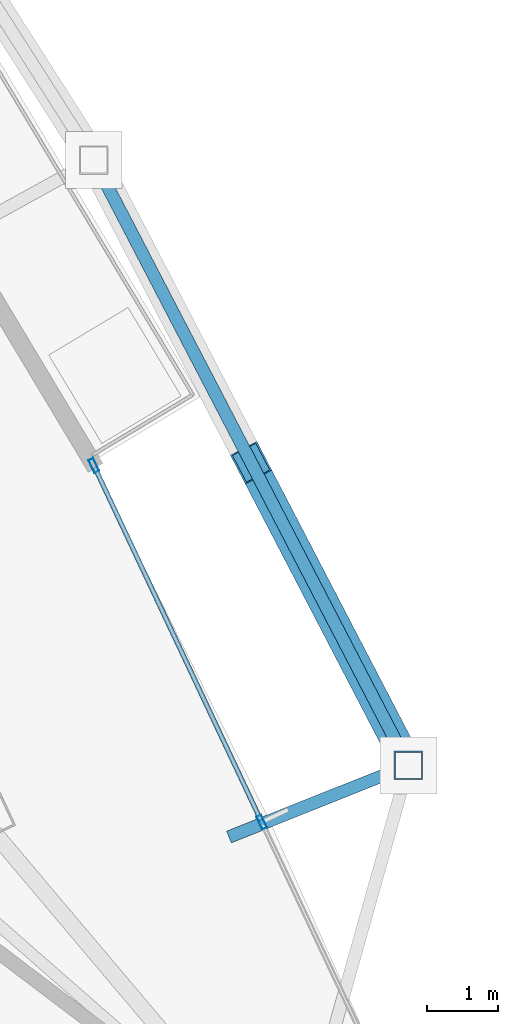
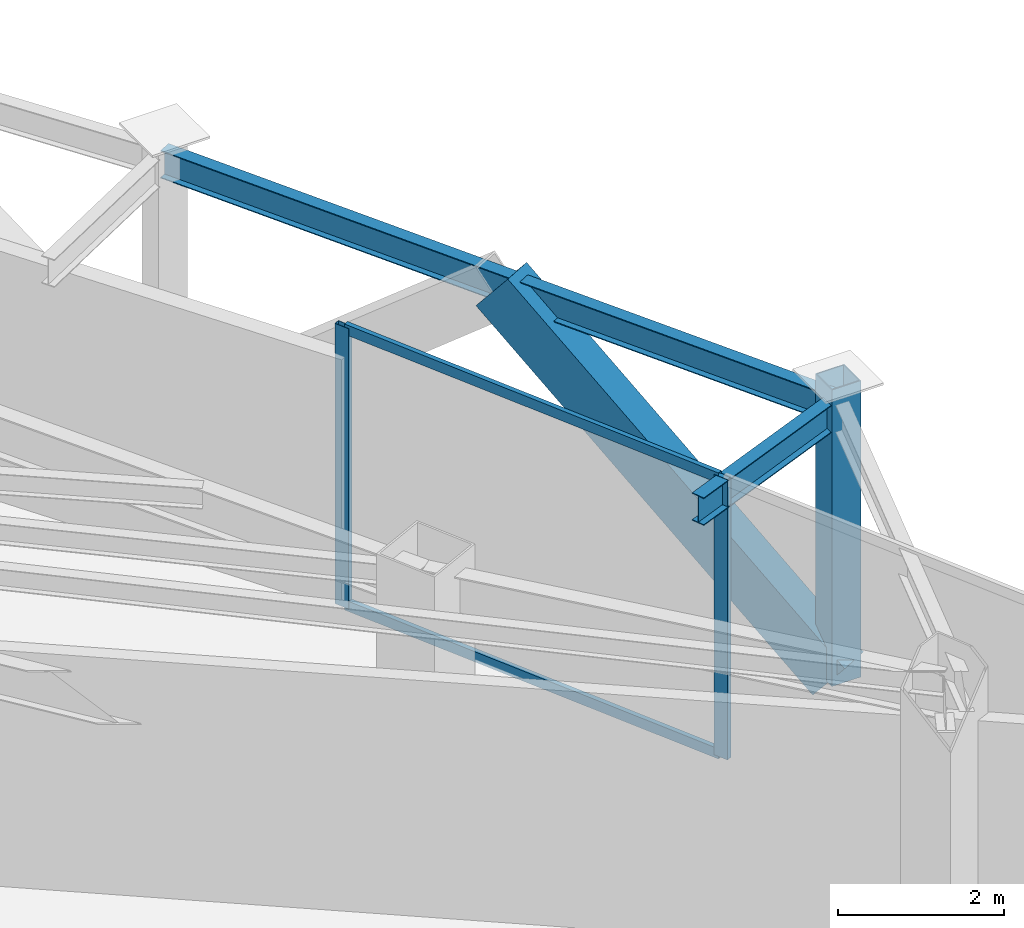
# One storey, part 16 of 28: 6 members, 2 beams, 1 element without a shape of its own.
"""IFC4 building model written with IfcOpenShell, lengths in metres."""

from ifc_helpers import new_model, si_unit, direction, frame, origin, origin_2d, place, context, subcontext, project, spatial, hollow_rectangle, i_section, extrude, material, layer, layer_set, material_profile, profile_set, type_object, element, aggregate, save


model = new_model("IFC4")

# Units and contexts
model_context = context("Model", 3, precision=1e-05, world=origin(), true_north=direction((0.0, 1.0)))
body_context = subcontext(model_context, "Body", "Model", "MODEL_VIEW")
ifc_project = project(units=[si_unit("LENGTHUNIT", "METRE"), si_unit("AREAUNIT", "SQUARE_METRE"), si_unit("VOLUMEUNIT", "CUBIC_METRE"), si_unit("PLANEANGLEUNIT", "RADIAN"), si_unit("MASSUNIT", "GRAM", prefix="KILO")], contexts=[model_context])

# Site, building, storey
site_placement = place(None, origin())
site = spatial("IfcSite", under=ifc_project, at=site_placement, CompositionType="ELEMENT")
building_placement = place(site_placement, origin())
building = spatial("IfcBuilding", under=site, at=building_placement, Name="Orvanel Arch Residences", CompositionType="ELEMENT")
storey_placement = place(building_placement, frame((0.0, 0.0, 146.300048828125)))
storey = spatial("IfcBuildingStorey", under=building, at=storey_placement, Name="L41", CompositionType="ELEMENT", Elevation=146.300048828125)

# Member
ifc_material_1 = material(Name="Structural steel AS/NZS 3678 Grade 350", Category="steel")
ifc_material_profile_1 = material_profile(ifc_material_1, hollow_rectangle(XDim=0.419921875, YDim=0.719970703125, WallThickness=0.02490234375, at=origin_2d()), Name="RHS720x420x25")
ifc_profile_set_1 = profile_set([ifc_material_profile_1], Name="Structural steel AS/NZS 3678 Grade 350")
member_type_1 = type_object("IfcMemberType", Name="BR-720RHS-EXT", PredefinedType="BRACE", material=ifc_profile_set_1)
member_1_placement = place(storey_placement, frame((55.72412109375, 20.281005859375, 0.0), z_axis=(-0.357776881405, 0.688056741492, 0.631326875414), x_axis=(-0.887223464214, -0.461339922995, 0.0)))
element("IfcMember", 1, at=member_1_placement, inside=storey, type_object=member_type_1, Name="L41 Exterior Sky-Garden V-Frame Chevron F3B1.1", PredefinedType="BRACE", context=body_context, shape_type="SweptSolid", body=[
    extrude(hollow_rectangle(XDim=0.419921875, YDim=0.719970703125, WallThickness=0.02490234375, at=origin_2d()), origin(), (0.0, 0.0, 1.0), 6.1884765625),
])

# Curtain wall, members
ifc_material_2 = material(Name="Bronze-anodised aluminium AA6063-T6", Category="aluminium")
ifc_layer = layer(ifc_material_2, 0.195068359375)
ifc_layer_set = layer_set([ifc_layer], Name="Bronze-anodised aluminium AA6063-T6")
curtain_wall_type = type_object("IfcCurtainWallType", Name="CW6-COM-SYS", PredefinedType="NOTDEFINED", material=ifc_layer_set)
curtain_wall_placement = place(storey_placement, origin())
curtain_wall = element("IfcCurtainWall", 2, at=curtain_wall_placement, inside=storey, type_object=curtain_wall_type, Name="L41 CW6-COM-SYS Unitised Curtain Wall", PredefinedType="NOTDEFINED")
ifc_material_profile_2 = material_profile(ifc_material_2, hollow_rectangle(XDim=0.074951171875, YDim=0.199951171875, WallThickness=0.0048828125, at=origin_2d()), Name="ALU200x75x5")
ifc_profile_set_2 = profile_set([ifc_material_profile_2], Name="Bronze-anodised aluminium AA6063-T6")
member_type_2 = type_object("IfcMemberType", Name="MUL-200x75", PredefinedType="MULLION", material=ifc_profile_set_2)
member_2_placement = place(storey_placement, frame((53.659423828125, 19.482421875, 0.0), z_axis=(0.0, 0.0, 1.0), x_axis=(-0.904796375082, -0.425844478229, 0.0)))
member_2 = element("IfcMember", 3, at=member_2_placement, type_object=member_type_2, Name="CW-S6 mullion 2", PredefinedType="MULLION", context=body_context, shape_type="SweptSolid", body=[
    extrude(hollow_rectangle(XDim=0.074951171875, YDim=0.199951171875, WallThickness=0.0048828125, at=origin_2d()), origin(), (0.0, 0.0, 1.0), 4.10986328125),
])
member_3_placement = place(storey_placement, frame((51.2978515625, 24.5, 0.0), z_axis=(0.0, 0.0, 1.0), x_axis=(-0.904796375082, -0.425844478229, 0.0)))
member_3 = element("IfcMember", 4, at=member_3_placement, type_object=member_type_2, Name="CW-S6 mullion 3", PredefinedType="MULLION", context=body_context, shape_type="SweptSolid", body=[
    extrude(hollow_rectangle(XDim=0.074951171875, YDim=0.199951171875, WallThickness=0.0048828125, at=origin_2d()), origin(), (0.0, 0.0, 1.0), 4.10986328125),
])

# Beams
ifc_material_3 = material(Name="Structural steel AS/NZS 3679.1 Grade 300 (300 MPa)", Category="steel")
ifc_material_profile_3 = material_profile(ifc_material_3, i_section(OverallWidth=0.177978515625, OverallDepth=0.406005859375, WebThickness=0.0078125, FlangeThickness=0.0126953125, at=origin_2d()), Name="410UB59.7")
ifc_profile_set_3 = profile_set([ifc_material_profile_3], Name="Structural steel AS/NZS 3679.1 Grade 300 (300 MPa)")
beam_type = type_object("IfcBeamType", Name="OB-410UB-EXT", PredefinedType="SPANDREL", material=ifc_profile_set_3)
beam_1_placement = place(storey_placement, frame((53.198974609375, 19.27294921875, 3.906982421875), z_axis=(0.92873037174, 0.370755845008, 0.0), x_axis=(-0.370755845008, 0.92873037174, 0.0)))
element("IfcBeam", 5, at=beam_1_placement, inside=storey, type_object=beam_type, Name="L41 Outer Frame Radial Tie Beam 09", PredefinedType="SPANDREL", context=body_context, shape_type="SweptSolid", body=[
    extrude(i_section(OverallWidth=0.177978515625, OverallDepth=0.406005859375, WebThickness=0.0078125, FlangeThickness=0.0126953125, at=origin_2d()), origin(), (0.0, 0.0, 1.0), 2.718994140625),
])
beam_2_placement = place(storey_placement, frame((55.72412109375, 20.281005859375, 3.906982421875), z_axis=(-0.461239806439, 0.88727551581, 0.0), x_axis=(-0.88727551581, -0.461239806439, 0.0)))
element("IfcBeam", 6, at=beam_2_placement, inside=storey, type_object=beam_type, Name="L41 Outer Perimeter Floor Ring Beam 09", PredefinedType="SPANDREL", context=body_context, shape_type="SweptSolid", body=[
    extrude(i_section(OverallWidth=0.177978515625, OverallDepth=0.406005859375, WebThickness=0.0078125, FlangeThickness=0.0126953125, at=origin_2d()), origin(), (0.0, 0.0, 1.0), 9.59814453125),
])

# Member
ifc_material_4 = material(Name="Structural steel AS/NZS 1163 C450L0 (Grade 450)", Category="steel")
ifc_material_profile_4 = material_profile(ifc_material_4, hollow_rectangle(XDim=0.39990234375, YDim=0.39990234375, WallThickness=0.01611328125, at=origin_2d()), Name="SHS400x400x16")
ifc_profile_set_4 = profile_set([ifc_material_profile_4], Name="Structural steel AS/NZS 1163 C450L0 (Grade 450)")
member_type_3 = type_object("IfcMemberType", Name="ST-400SHS-EXT", PredefinedType="STRUT", material=ifc_profile_set_4)
member_4_placement = place(storey_placement, frame((55.72412109375, 20.281005859375, 0.0), z_axis=(0.0, 0.0, 1.0), x_axis=(1.0, 0.0, 0.0)))
element("IfcMember", 7, at=member_4_placement, inside=storey, type_object=member_type_3, Name="L41 Outer Perimeter Frame Post 09", PredefinedType="STRUT", context=body_context, shape_type="SweptSolid", body=[
    extrude(hollow_rectangle(XDim=0.39990234375, YDim=0.39990234375, WallThickness=0.01611328125, at=origin_2d()), origin(), (0.0, 0.0, 1.0), 4.349853515625),
])

ifc_material_profile_5 = material_profile(ifc_material_2, hollow_rectangle(XDim=0.06494140625, YDim=0.14990234375, WallThickness=0.00390625, at=origin_2d()), Name="ALU150x65x4")
ifc_profile_set_5 = profile_set([ifc_material_profile_5], Name="Bronze-anodised aluminium AA6063-T6")
member_type_4 = type_object("IfcMemberType", Name="TRN-150x65", PredefinedType="USERDEFINED", material=ifc_profile_set_5)
member_5_placement = place(storey_placement, frame((53.6435546875, 19.516357421875, 0.032470703125), z_axis=(-0.42584431911, 0.904796449972, 0.0), x_axis=(-0.904796449972, -0.42584431911, 0.0)))
member_5 = element("IfcMember", 8, at=member_5_placement, type_object=member_type_4, Name="CW-S6 transom 2.1", ObjectType="TRANSOM", PredefinedType="USERDEFINED", context=body_context, shape_type="SweptSolid", body=[
    extrude(hollow_rectangle(XDim=0.06494140625, YDim=0.14990234375, WallThickness=0.00390625, at=origin_2d()), origin(), (0.0, 0.0, 1.0), 5.470458984375),
])

member_6_placement = place(storey_placement, frame((53.6435546875, 19.516357421875, 4.077392578125), z_axis=(-0.42584431911, 0.904796449972, 0.0), x_axis=(-0.904796449972, -0.42584431911, 0.0)))
member_6 = element("IfcMember", 9, at=member_6_placement, type_object=member_type_4, Name="CW-S6 transom 2.2", ObjectType="TRANSOM", PredefinedType="USERDEFINED", context=body_context, shape_type="SweptSolid", body=[
    extrude(hollow_rectangle(XDim=0.06494140625, YDim=0.14990234375, WallThickness=0.00390625, at=origin_2d()), origin(), (0.0, 0.0, 1.0), 5.470458984375),
])

aggregate(curtain_wall, [member_2, member_3, member_5, member_6])

save(model, "model.ifc")
